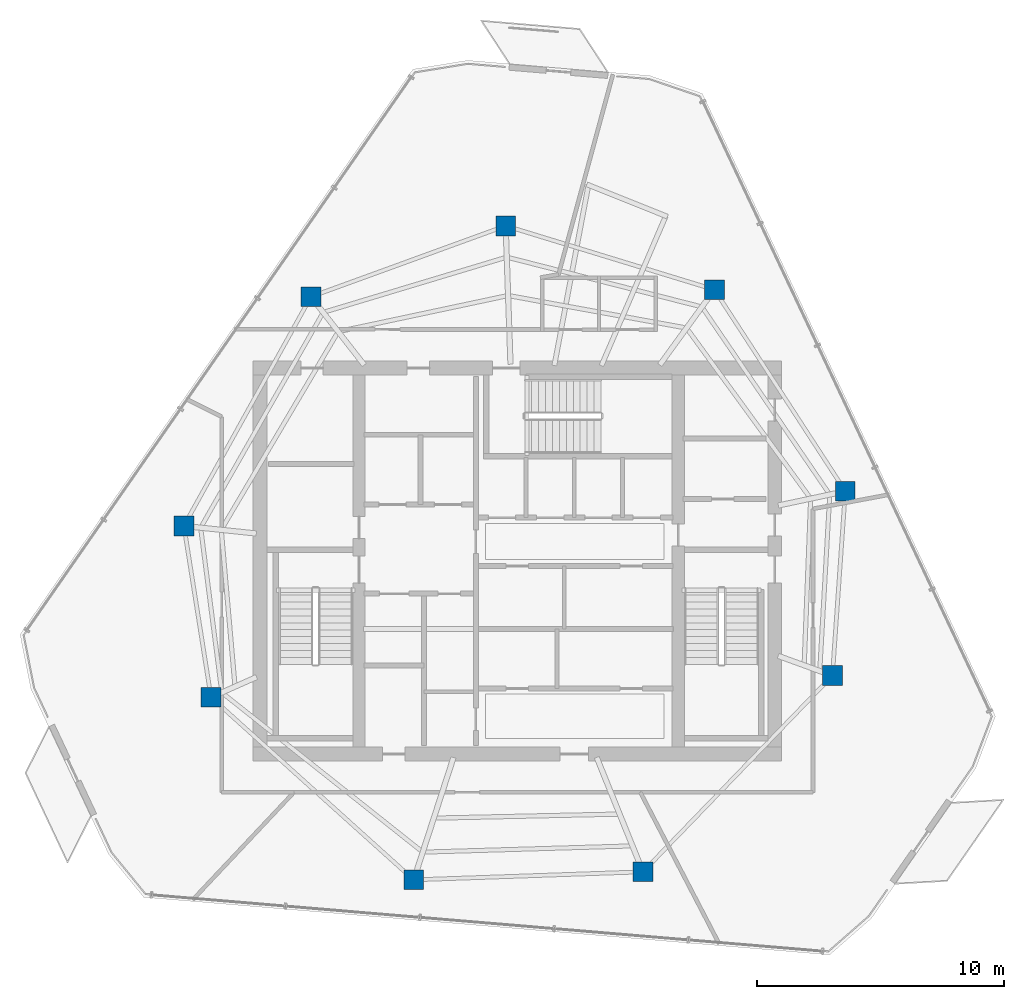
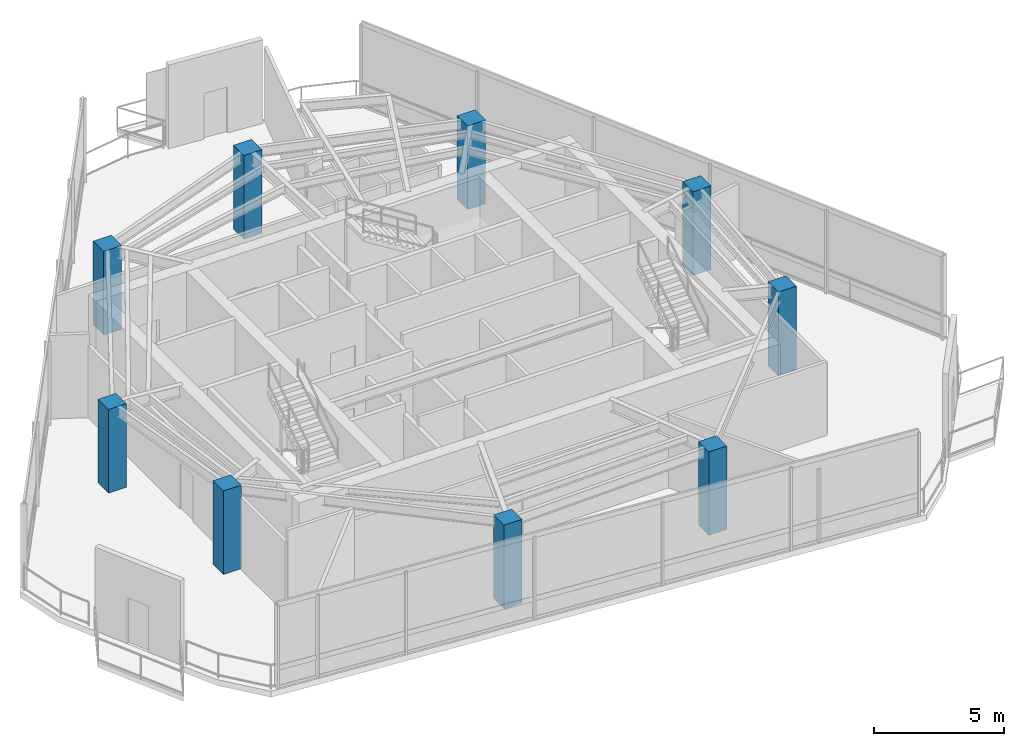
# One storey, part 1 of 19: 9 columns.
"""IFC4 building model written with IfcOpenShell, lengths in metres."""

from ifc_helpers import new_model, si_unit, direction, frame, origin, origin_2d, place, context, subcontext, project, spatial, rectangle, extrude, material, material_profile, profile_set, type_object, element, save


model = new_model("IFC4")

# Units and contexts
model_context = context("Model", 3, precision=1e-05, world=origin(), true_north=direction((0.0, 1.0)))
body_context = subcontext(model_context, "Body", "Model", "MODEL_VIEW")
ifc_project = project(units=[si_unit("LENGTHUNIT", "METRE"), si_unit("AREAUNIT", "SQUARE_METRE"), si_unit("VOLUMEUNIT", "CUBIC_METRE"), si_unit("PLANEANGLEUNIT", "RADIAN"), si_unit("MASSUNIT", "GRAM", prefix="KILO")], contexts=[model_context])

# Site, building, storey
site_placement = place(None, origin())
site = spatial("IfcSite", under=ifc_project, at=site_placement, CompositionType="ELEMENT")
building_placement = place(site_placement, origin())
building = spatial("IfcBuilding", under=site, at=building_placement, Name="Qarnah Convention Tower", CompositionType="ELEMENT")
storey_placement = place(building_placement, frame((0.0, 0.0, 275.10009765625)))
storey = spatial("IfcBuildingStorey", under=building, at=storey_placement, Name="L74", CompositionType="ELEMENT", Elevation=275.10009765625)

# Columns
ifc_material = material(Name="Concrete C50/60", Category="concrete")
ifc_material_profile = material_profile(ifc_material, rectangle(XDim=0.800048828125, YDim=0.800048828125, at=origin_2d()), Name="RC-COL-800X800")
ifc_profile_set = profile_set([ifc_material_profile], Name="Concrete C50/60")
column_type = type_object("IfcColumnType", Name="COL-Z5-800", PredefinedType="COLUMN", material=ifc_profile_set)
for number, where, z_axis, x_axis, name in (
    (1, (50.4541015625, 29.217041015625, 0.0), (0.0, 0.0, 1.0), (1.0, 0.0, 0.0), "L74 plumb column PC-Z5-01"),
    (2, (45.1640625, 37.362060546875, 0.0), (0.0, 0.0, 1.0), (1.0, 0.0, 0.0), "L74 plumb column PC-Z5-02"),
    (3, (36.72705078125, 39.94189453125, 0.0), (0.0, 0.0, 1.0), (1.0, 0.0, 0.0), "L74 plumb column PC-Z5-03"),
    (4, (28.85791015625, 37.077880859375, 0.0), (0.0, 0.0, 1.0), (1.0, 0.0, 0.0), "L74 plumb column PC-Z5-04"),
    (5, (23.72412109375, 27.81591796875, 0.0), (0.0, 0.0, 1.0), (1.0, 0.0, 0.0), "L74 plumb column PC-Z5-05"),
    (6, (24.821044921875, 20.888916015625, 0.0), (0.0, 0.0, 1.0), (1.0, 0.0, 0.0), "L74 plumb column PC-Z5-06"),
    (7, (33.012939453125, 13.512939453125, 0.0), (0.0, 0.0, 1.0), (1.0, 0.0, 0.0), "L74 plumb column PC-Z5-07"),
    (8, (42.27587890625, 13.8369140625, 0.0), (0.0, 0.0, 1.0), (1.0, 0.0, 0.0), "L74 plumb column PC-Z5-08"),
    (9, (49.93310546875, 21.76611328125, 0.0), (0.0, 0.0, 1.0), (1.0, 0.0, 0.0), "L74 plumb column PC-Z5-09"),
):
    element("IfcColumn", number, at=place(storey_placement, frame(where, z_axis=z_axis, x_axis=x_axis)), inside=storey, type_object=column_type, Name=name, PredefinedType="COLUMN", context=body_context, shape_type="SweptSolid", body=[
        extrude(rectangle(XDim=0.800048828125, YDim=0.800048828125, at=origin_2d()), origin(), (0.0, 0.0, 1.0), 3.919921875),
    ])

save(model, "model.ifc")
